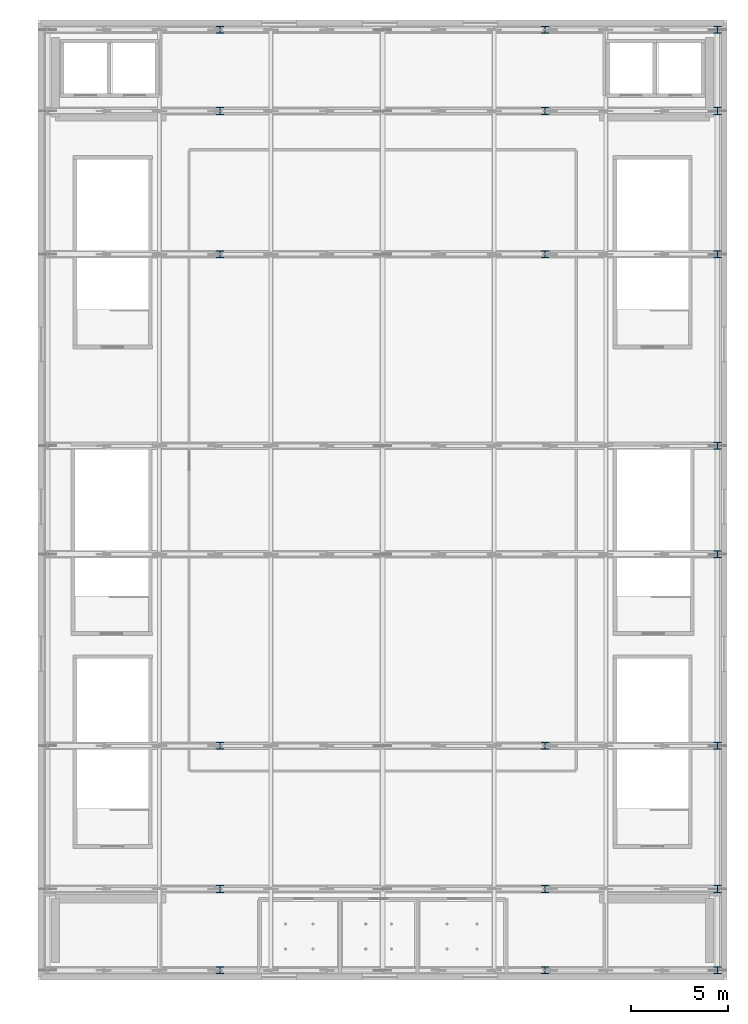
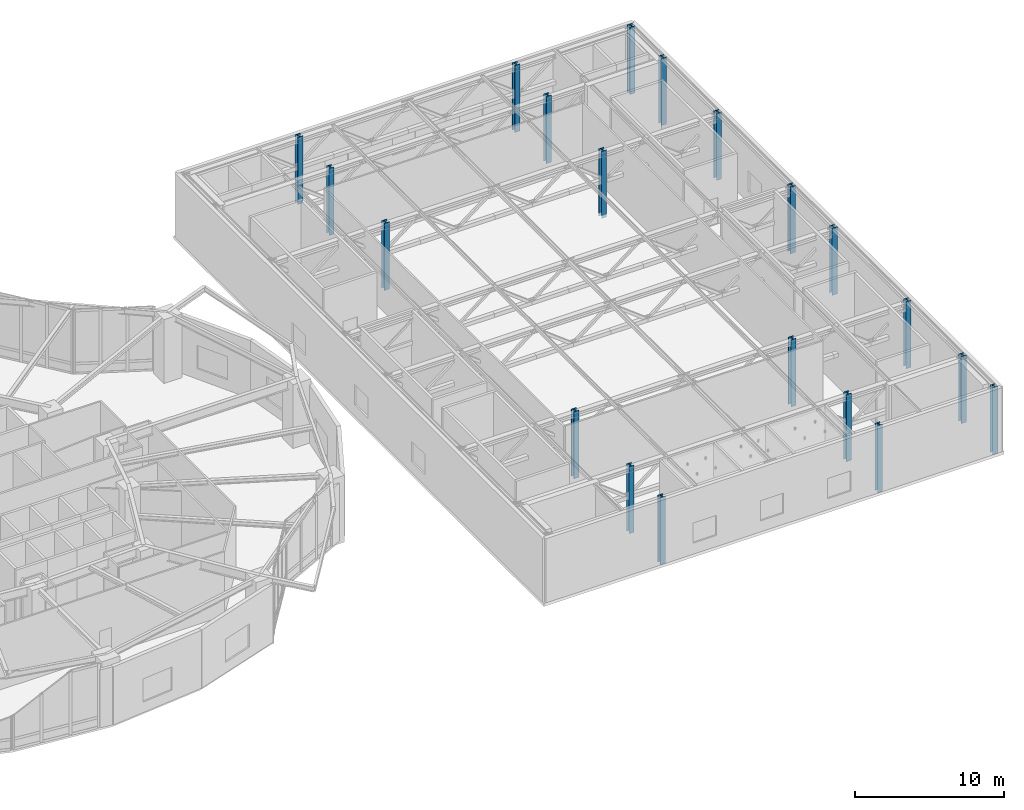
# One storey, part 4 of 29: 20 columns.
"""IFC4 building model written with IfcOpenShell, lengths in metres."""

from ifc_helpers import new_model, si_unit, direction, frame, origin, origin_2d, place, context, subcontext, project, spatial, i_section, extrude, material, material_profile, profile_set, type_object, element, save


model = new_model("IFC4")

# Units and contexts
model_context = context("Model", 3, precision=1e-05, world=origin(), true_north=direction((0.0, 1.0)))
body_context = subcontext(model_context, "Body", "Model", "MODEL_VIEW")
ifc_project = project(units=[si_unit("LENGTHUNIT", "METRE"), si_unit("AREAUNIT", "SQUARE_METRE"), si_unit("VOLUMEUNIT", "CUBIC_METRE"), si_unit("PLANEANGLEUNIT", "RADIAN"), si_unit("MASSUNIT", "GRAM", prefix="KILO")], contexts=[model_context])

# Site, building, storey
site_placement = place(None, origin())
site = spatial("IfcSite", under=ifc_project, at=site_placement, CompositionType="ELEMENT")
building_placement = place(site_placement, origin())
building = spatial("IfcBuilding", under=site, at=building_placement, Name="Kolvaren Gate Tower and Convention Centre", CompositionType="ELEMENT")
storey_placement = place(building_placement, frame((0.0, 0.0, 21.0)))
storey = spatial("IfcBuildingStorey", under=building, at=storey_placement, Name="L04", CompositionType="ELEMENT", Elevation=21.0)

# Columns
ifc_material = material(Name="Structural steel ASTM A992 Grade 345 MPa", Category="steel")
ifc_material_profile = material_profile(ifc_material, i_section(OverallWidth=0.39501953125, OverallDepth=0.3798828125, WebThickness=0.018798828125, FlangeThickness=0.0302734375, at=origin_2d()), Name="W360X237")
ifc_profile_set = profile_set([ifc_material_profile], Name="Structural steel ASTM A992 Grade 345 MPa")
column_type = type_object("IfcColumnType", Name="STR-COL-W360X237", PredefinedType="COLUMN", material=ifc_profile_set)
for number, where, z_axis, x_axis, name in (
    (1, (71.60009765625, 2.699951171875, -0.239990234375), (0.0, 0.0, 1.0), (1.0, 0.0, 0.0), "Convention L04 Column CC-21"),
    (2, (71.60009765625, 6.89990234375, -0.239990234375), (0.0, 0.0, 1.0), (1.0, 0.0, 0.0), "Convention L04 Column CC-22"),
    (3, (71.60009765625, 14.300048828125, -0.239990234375), (0.0, 0.0, 1.0), (1.0, 0.0, 0.0), "Convention L04 Column CC-23"),
    (4, (71.60009765625, 39.699951171875, -0.239990234375), (0.0, 0.0, 1.0), (1.0, 0.0, 0.0), "Convention L04 Column CC-26"),
    (5, (71.60009765625, 47.10009765625, -0.239990234375), (0.0, 0.0, 1.0), (1.0, 0.0, 0.0), "Convention L04 Column CC-27"),
    (6, (71.60009765625, 51.300048828125, -0.239990234375), (0.0, 0.0, 1.0), (1.0, 0.0, 0.0), "Convention L04 Column CC-28"),
    (7, (88.39990234375, 2.699951171875, -0.239990234375), (0.0, 0.0, 1.0), (1.0, 0.0, 0.0), "Convention L04 Column CC-31"),
    (8, (88.39990234375, 6.89990234375, -0.239990234375), (0.0, 0.0, 1.0), (1.0, 0.0, 0.0), "Convention L04 Column CC-32"),
    (9, (88.39990234375, 14.300048828125, -0.239990234375), (0.0, 0.0, 1.0), (1.0, 0.0, 0.0), "Convention L04 Column CC-33"),
    (10, (88.39990234375, 39.699951171875, -0.239990234375), (0.0, 0.0, 1.0), (1.0, 0.0, 0.0), "Convention L04 Column CC-36"),
    (11, (88.39990234375, 47.10009765625, -0.239990234375), (0.0, 0.0, 1.0), (1.0, 0.0, 0.0), "Convention L04 Column CC-37"),
    (12, (88.39990234375, 51.300048828125, -0.239990234375), (0.0, 0.0, 1.0), (1.0, 0.0, 0.0), "Convention L04 Column CC-38"),
    (13, (97.300048828125, 2.699951171875, -0.239990234375), (0.0, 0.0, 1.0), (1.0, 0.0, 0.0), "Convention L04 Column CC-41"),
    (14, (97.300048828125, 6.89990234375, -0.239990234375), (0.0, 0.0, 1.0), (1.0, 0.0, 0.0), "Convention L04 Column CC-42"),
    (15, (97.300048828125, 14.300048828125, -0.239990234375), (0.0, 0.0, 1.0), (1.0, 0.0, 0.0), "Convention L04 Column CC-43"),
    (16, (97.300048828125, 24.199951171875, -0.239990234375), (0.0, 0.0, 1.0), (1.0, 0.0, 0.0), "Convention L04 Column CC-44"),
    (17, (97.300048828125, 29.800048828125, -0.239990234375), (0.0, 0.0, 1.0), (1.0, 0.0, 0.0), "Convention L04 Column CC-45"),
    (18, (97.300048828125, 39.699951171875, -0.239990234375), (0.0, 0.0, 1.0), (1.0, 0.0, 0.0), "Convention L04 Column CC-46"),
    (19, (97.300048828125, 47.10009765625, -0.239990234375), (0.0, 0.0, 1.0), (1.0, 0.0, 0.0), "Convention L04 Column CC-47"),
    (20, (97.300048828125, 51.300048828125, -0.239990234375), (0.0, 0.0, 1.0), (1.0, 0.0, 0.0), "Convention L04 Column CC-48"),
):
    element("IfcColumn", number, at=place(storey_placement, frame(where, z_axis=z_axis, x_axis=x_axis)), inside=storey, type_object=column_type, Name=name, PredefinedType="COLUMN", context=body_context, shape_type="SweptSolid", body=[
        extrude(i_section(OverallWidth=0.39501953125, OverallDepth=0.3798828125, WebThickness=0.018798828125, FlangeThickness=0.0302734375, at=origin_2d()), origin(), (0.0, 0.0, 1.0), 5.489990234375),
    ])

save(model, "model.ifc")
